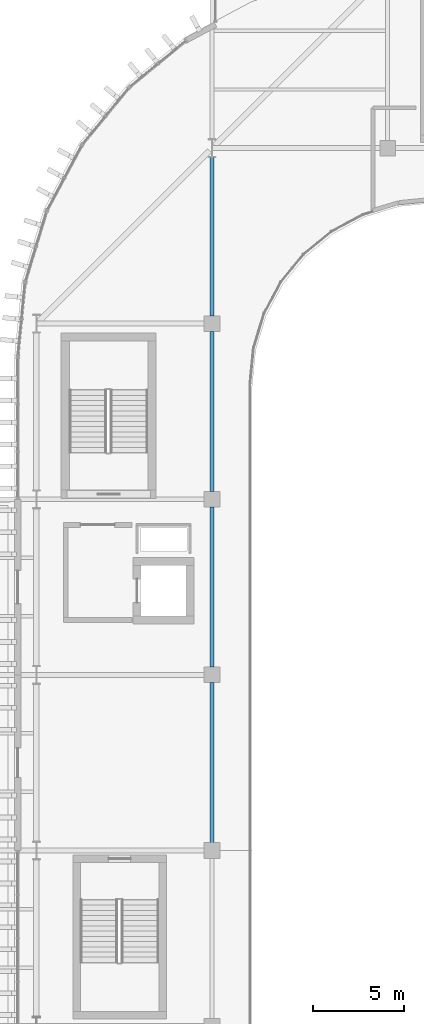
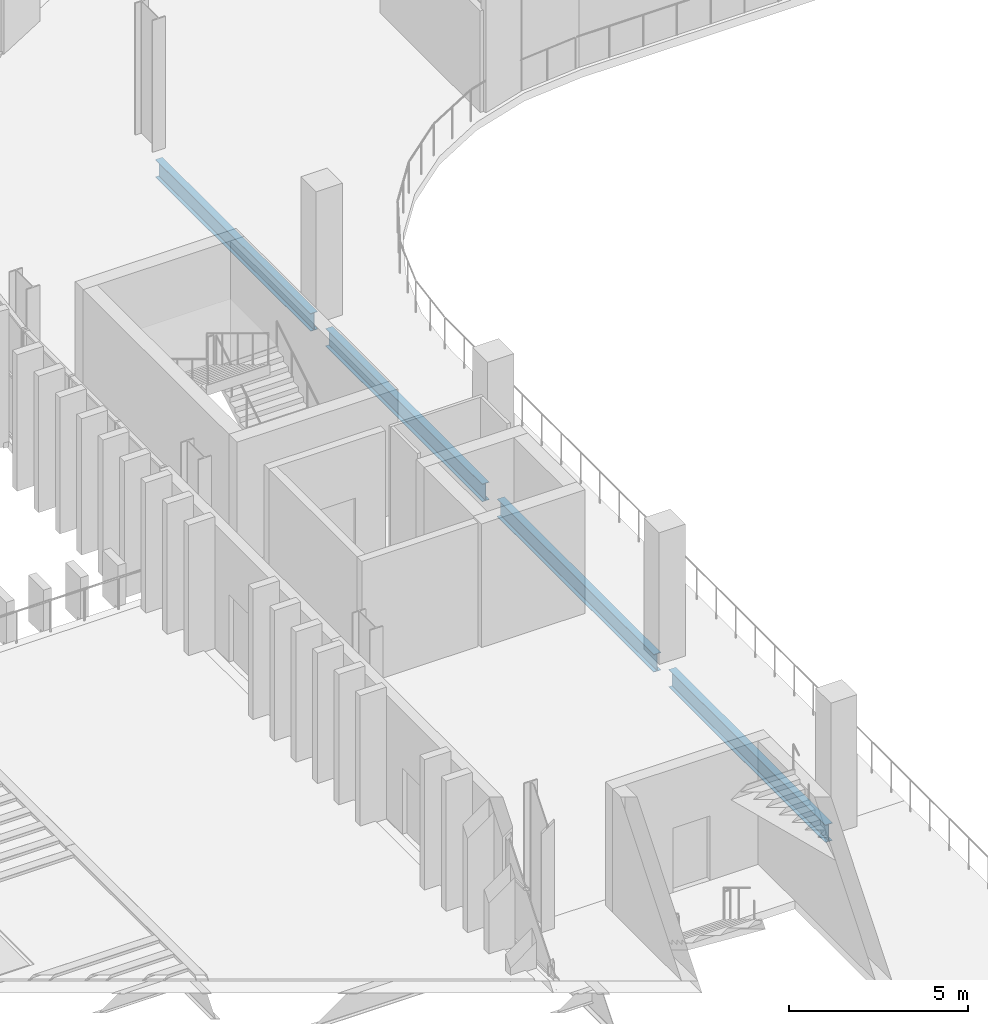
# One storey, part 19 of 92: 4 beams.
"""IFC4 building model written with IfcOpenShell, lengths in metres."""

from ifc_helpers import new_model, si_unit, direction, frame, origin, origin_2d, place, context, subcontext, project, spatial, i_section, extrude, material, material_profile, profile_set, type_object, element, save


model = new_model("IFC4")

# Units and contexts
model_context = context("Model", 3, precision=1e-05, world=origin(), true_north=direction((0.0, 1.0)))
body_context = subcontext(model_context, "Body", "Model", "MODEL_VIEW")
ifc_project = project(units=[si_unit("LENGTHUNIT", "METRE"), si_unit("AREAUNIT", "SQUARE_METRE"), si_unit("VOLUMEUNIT", "CUBIC_METRE"), si_unit("PLANEANGLEUNIT", "RADIAN"), si_unit("MASSUNIT", "GRAM", prefix="KILO")], contexts=[model_context])

# Site, building, storey
site_placement = place(None, origin())
site = spatial("IfcSite", under=ifc_project, at=site_placement, CompositionType="ELEMENT")
building_placement = place(site_placement, origin())
building = spatial("IfcBuilding", under=site, at=building_placement, Name="Caelomonte Colonnade Arena", CompositionType="ELEMENT")
storey_placement = place(building_placement, frame((0.0, 0.0, 9.60009765625)))
storey = spatial("IfcBuildingStorey", under=building, at=storey_placement, Name="L02", CompositionType="ELEMENT", Elevation=9.60009765625)

# Beams
ifc_material = material(Name="Wide-flange steel ASTM A992 Grade 50", Category="steel")
ifc_material_profile = material_profile(ifc_material, i_section(OverallWidth=0.228271484375, OverallDepth=0.607177734375, WebThickness=0.01123046875, FlangeThickness=0.017333984375, FilletRadius=0.0126953125, at=origin_2d()), Name="W24X76")
ifc_profile_set = profile_set([ifc_material_profile], Name="Wide-flange steel ASTM A992 Grade 50")
beam_type = type_object("IfcBeamType", Name="STR-BM-GIRD24", PredefinedType="BEAM", material=ifc_profile_set)
beam_1_placement = place(storey_placement, frame((67.199951171875, 67.616943359375, -0.58349609375), z_axis=(0.0, 1.0, 0.0), x_axis=(-1.0, 0.0, 0.0)))
element("IfcBeam", 1, at=beam_1_placement, inside=storey, type_object=beam_type, Name="L02 girder BMY-L02-0672-0672", PredefinedType="BEAM", context=body_context, shape_type="SweptSolid", body=[
    extrude(i_section(OverallWidth=0.228271484375, OverallDepth=0.607177734375, WebThickness=0.01123046875, FlangeThickness=0.017333984375, FilletRadius=0.0126953125, at=origin_2d()), origin(), (0.0, 0.0, 1.0), 8.76611328125),
])
beam_2_placement = place(storey_placement, frame((67.199951171875, 77.217041015625, -0.58349609375), z_axis=(0.0, 1.0, 0.0), x_axis=(-1.0, 0.0, 0.0)))
element("IfcBeam", 2, at=beam_2_placement, inside=storey, type_object=beam_type, Name="L02 girder BMY-L02-0672-0768", PredefinedType="BEAM", context=body_context, shape_type="SweptSolid", body=[
    extrude(i_section(OverallWidth=0.228271484375, OverallDepth=0.607177734375, WebThickness=0.01123046875, FlangeThickness=0.017333984375, FilletRadius=0.0126953125, at=origin_2d()), origin(), (0.0, 0.0, 1.0), 8.765869140625),
])
beam_3_placement = place(storey_placement, frame((67.199951171875, 86.81689453125, -0.58349609375), z_axis=(0.0, 1.0, 0.0), x_axis=(-1.0, 0.0, 0.0)))
element("IfcBeam", 3, at=beam_3_placement, inside=storey, type_object=beam_type, Name="L02 girder BMY-L02-0672-0864", PredefinedType="BEAM", context=body_context, shape_type="SweptSolid", body=[
    extrude(i_section(OverallWidth=0.228271484375, OverallDepth=0.607177734375, WebThickness=0.01123046875, FlangeThickness=0.017333984375, FilletRadius=0.0126953125, at=origin_2d()), origin(), (0.0, 0.0, 1.0), 8.76611328125),
])
beam_4_placement = place(storey_placement, frame((67.199951171875, 96.4169921875, -0.58349609375), z_axis=(0.0, 1.0, 0.0), x_axis=(-1.0, 0.0, 0.0)))
element("IfcBeam", 4, at=beam_4_placement, inside=storey, type_object=beam_type, Name="L02 girder BMY-L02-0672-0960", PredefinedType="BEAM", context=body_context, shape_type="SweptSolid", body=[
    extrude(i_section(OverallWidth=0.228271484375, OverallDepth=0.607177734375, WebThickness=0.01123046875, FlangeThickness=0.017333984375, FilletRadius=0.0126953125, at=origin_2d()), origin(), (0.0, 0.0, 1.0), 8.685546875),
])

save(model, "model.ifc")
